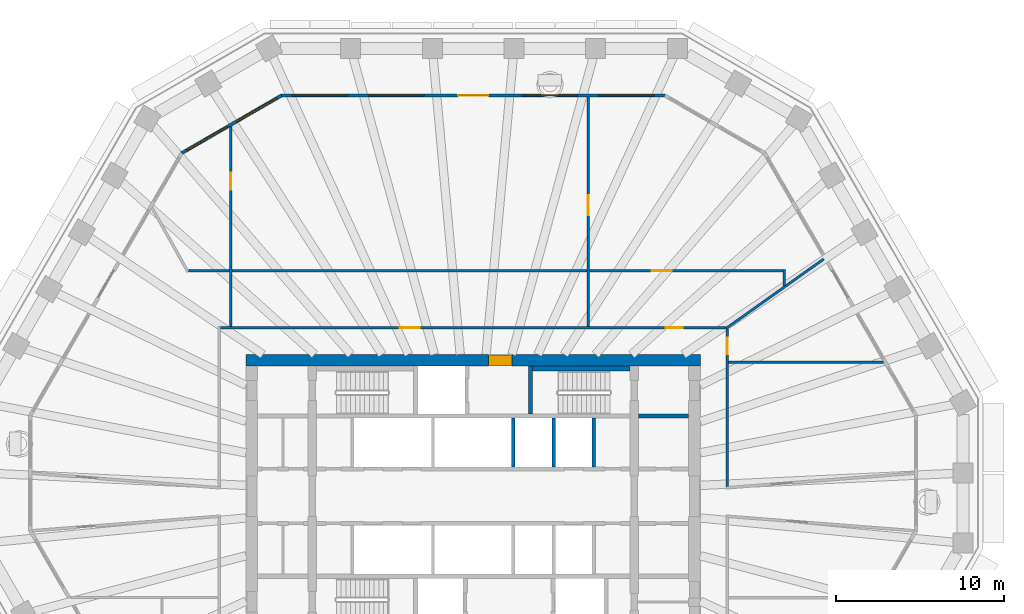
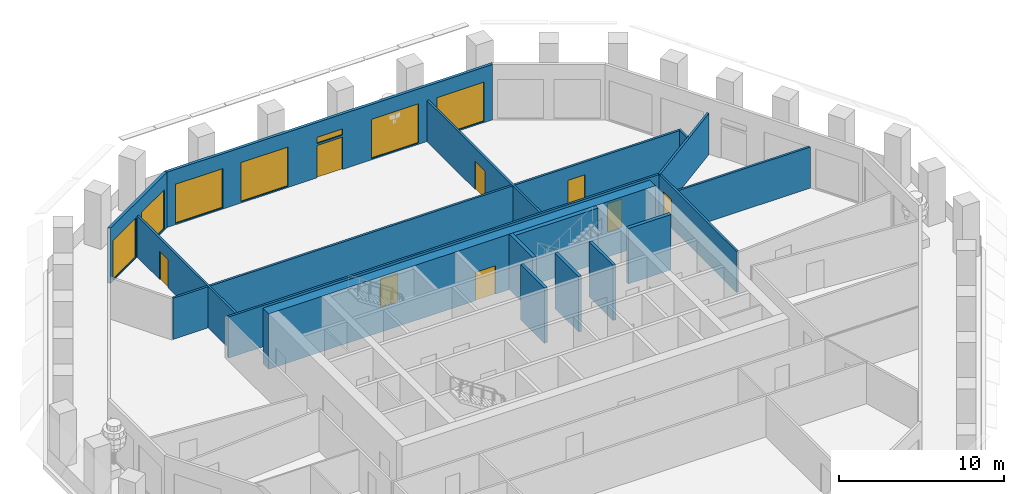
# One storey, part 7 of 12: 17 walls, 8 doors, 7 windows, 15 openings.
"""IFC4 building model written with IfcOpenShell, lengths in metres."""

from ifc_helpers import new_model, si_unit, direction, frame, frame_2d, origin, place, context, subcontext, project, spatial, polyline, rectangle, outline, extrude, material, layer, layer_set, type_object, element, fill, save


model = new_model("IFC4")

# Units and contexts
model_context = context("Model", 3, precision=1e-05, world=origin(), true_north=direction((0.0, 1.0)))
body_context = subcontext(model_context, "Body", "Model", "MODEL_VIEW")
ifc_project = project(units=[si_unit("LENGTHUNIT", "METRE"), si_unit("AREAUNIT", "SQUARE_METRE"), si_unit("VOLUMEUNIT", "CUBIC_METRE"), si_unit("PLANEANGLEUNIT", "RADIAN"), si_unit("MASSUNIT", "GRAM", prefix="KILO")], contexts=[model_context])

# Site, building, storey
site_placement = place(None, origin())
site = spatial("IfcSite", under=ifc_project, at=site_placement, CompositionType="ELEMENT")
building_placement = place(site_placement, origin())
building = spatial("IfcBuilding", under=site, at=building_placement, Name="Frailejon Research Tower", CompositionType="ELEMENT")
storey_placement = place(building_placement, frame((0.0, 0.0, 193.60009765625)))
storey = spatial("IfcBuildingStorey", under=building, at=storey_placement, Name="L42", CompositionType="ELEMENT", Elevation=193.60009765625)

# Wall, opening, door
ifc_material_1 = material(Name="Concrete C60/75", Category="concrete")
ifc_layer_1 = layer(ifc_material_1, 0.699951171875)
ifc_layer_set_1 = layer_set([ifc_layer_1], Name="Core shear wall 700 C60/75")
wall_type_1 = type_object("IfcWallType", Name="Core shear wall 700 C60/75", PredefinedType="SHEAR", material=ifc_layer_set_1)
wall_1_placement = place(storey_placement, frame((-13.550048828125, 8.10009765625, 0.0), z_axis=(0.0, 0.0, 1.0), x_axis=(1.0, 0.0, 0.0)))
wall_1 = element("IfcWall", 1, at=wall_1_placement, inside=storey, type_object=wall_type_1, Name="Core shear wall", PredefinedType="SHEAR", context=body_context, shape_type="SweptSolid", body=[
    extrude(rectangle(XDim=27.10009765625, YDim=0.699951171875, at=frame_2d((13.550048828125, 0.0))), origin(), (0.0, 0.0, 1.0), 4.099853515625),
])
opening_1_placement = place(wall_1_placement, frame((14.47509765625, 0.0, 0.0)))
opening_1 = element("IfcOpeningElement", 2, at=opening_1_placement, cuts=wall_1, Name="Opening D9", PredefinedType="OPENING", context=body_context, shape_type="SweptSolid", body=[
    extrude(rectangle(XDim=1.39990234375, YDim=2.10009765625, at=frame_2d((0.699951171875, 1.050048828125))), frame((0.0, 0.35986328125, 0.0), z_axis=(0.0, -1.0, 0.0), x_axis=(1.0, 0.0, 0.0)), (0.0, 0.0, 1.0), 0.719970703125),
])
ifc_material_2 = material(Name="Steel", Category="steel")
door_type_1 = type_object("IfcDoorType", Name="Goods lobby door", OperationType="DOUBLE_DOOR_SINGLE_SWING", PredefinedType="DOOR", material=ifc_material_2)
door_1_placement = place(opening_1_placement, origin())
door_1 = element("IfcDoor", 3, at=door_1_placement, inside=storey, type_object=door_type_1, Name="Goods lobby door", OperationType="DOUBLE_DOOR_SINGLE_SWING", OverallHeight=2.10009765625, OverallWidth=1.39990234375, PredefinedType="DOOR", context=body_context, shape_type="SweptSolid", body=[
    extrude(rectangle(XDim=1.39990234375, YDim=2.10009765625, at=frame_2d((0.699951171875, 1.050048828125))), frame((0.0, 0.300048828125, 0.0), z_axis=(0.0, -1.0, 0.0), x_axis=(1.0, 0.0, 0.0)), (0.0, 0.0, 1.0), 0.60009765625),
])
fill(opening_1, door_1)

ifc_material_3 = material(Name="Gypsum board and masonry partition", Category="masonry")
ifc_layer_2 = layer(ifc_material_3, 0.14990234375)
ifc_layer_set_2 = layer_set([ifc_layer_2], Name="Corridor wall EI 60, gypsum on steel studs 150")
wall_type_2 = type_object("IfcWallType", Name="Corridor wall EI 60, gypsum on steel studs 150", PredefinedType="PARTITIONING", material=ifc_layer_set_2)
wall_2_placement = place(storey_placement, frame((15.14990234375, 0.57568359375, 0.0), z_axis=(0.0, 0.0, 1.0), x_axis=(0.0, 1.0, 0.0)))
wall_2 = element("IfcWall", 4, at=wall_2_placement, inside=storey, type_object=wall_type_2, Name="T:IW:L42:002", PredefinedType="PARTITIONING", context=body_context, shape_type="SweptSolid", body=[
    extrude(rectangle(XDim=9.3994140625, YDim=0.14990234375, at=frame_2d((4.69970703125, 0.0))), origin(), (0.0, 0.0, 1.0), 3.0498046875),
])
opening_2_placement = place(wall_2_placement, frame((7.88671875, 0.0, 0.0)))
opening_2 = element("IfcOpeningElement", 5, at=opening_2_placement, cuts=wall_2, Name="Opening D1904", PredefinedType="OPENING", context=body_context, shape_type="SweptSolid", body=[
    extrude(rectangle(XDim=1.0, YDim=2.10009765625, at=frame_2d((0.5, 1.050048828125))), frame((0.0, 0.0849609375, 0.0), z_axis=(0.0, -1.0, 0.0), x_axis=(1.0, 0.0, 0.0)), (0.0, 0.0, 1.0), 0.169921875),
])
ifc_material_4 = material(Name="Timber door leaf", Category="wood")
door_type_2 = type_object("IfcDoorType", Name="Door laboratory, timber, vision panel 1000", OperationType="NOTDEFINED", PredefinedType="DOOR", material=ifc_material_4)
door_2_placement = place(opening_2_placement, origin())
door_2 = element("IfcDoor", 6, at=door_2_placement, inside=storey, type_object=door_type_2, Name="D1904", OperationType="SINGLE_SWING_RIGHT", OverallHeight=2.10009765625, OverallWidth=1.0, PredefinedType="DOOR", context=body_context, shape_type="SweptSolid", body=[
    extrude(rectangle(XDim=1.0, YDim=2.10009765625, at=frame_2d((0.5, 1.050048828125))), frame((0.0, 0.02490234375, 0.0), z_axis=(0.0, -1.0, 0.0), x_axis=(1.0, 0.0, 0.0)), (0.0, 0.0, 1.0), 0.050048828125),
])
fill(opening_2, door_2)

# Wall, openings, doors
wall_3_placement = place(storey_placement, frame((-15.074951171875, 10.050048828125, 0.0), z_axis=(0.0, 0.0, 1.0), x_axis=(1.0, 0.0, 0.0)))
wall_3 = element("IfcWall", 7, at=wall_3_placement, inside=storey, type_object=wall_type_2, Name="T:IW:L42:003", PredefinedType="PARTITIONING", context=body_context, shape_type="SweptSolid", body=[
    extrude(rectangle(XDim=30.14990234375, YDim=0.14990234375, at=frame_2d((15.074951171875, 0.0))), origin(), (0.0, 0.0, 1.0), 3.0498046875),
])
opening_3_placement = place(wall_3_placement, frame((26.572509765625, 0.0, 0.0)))
opening_3 = element("IfcOpeningElement", 8, at=opening_3_placement, cuts=wall_3, Name="Opening D1905", PredefinedType="OPENING", context=body_context, shape_type="SweptSolid", body=[
    extrude(rectangle(XDim=1.0, YDim=2.10009765625, at=frame_2d((0.5, 1.050048828125))), frame((0.0, 0.0849609375, 0.0), z_axis=(0.0, -1.0, 0.0), x_axis=(1.0, 0.0, 0.0)), (0.0, 0.0, 1.0), 0.169921875),
])
opening_4_placement = place(wall_3_placement, frame((10.684326171875, 0.0, 0.0)))
opening_4 = element("IfcOpeningElement", 9, at=opening_4_placement, cuts=wall_3, Name="Opening D1908", PredefinedType="OPENING", context=body_context, shape_type="SweptSolid", body=[
    extrude(rectangle(XDim=1.199951171875, YDim=2.10009765625, at=frame_2d((0.60009765625, 1.050048828125))), frame((0.0, 0.0849609375, 0.0), z_axis=(0.0, -1.0, 0.0), x_axis=(1.0, 0.0, 0.0)), (0.0, 0.0, 1.0), 0.169921875),
])
door_3_placement = place(opening_3_placement, origin())
door_3 = element("IfcDoor", 10, at=door_3_placement, inside=storey, type_object=door_type_2, Name="D1905", OperationType="SINGLE_SWING_LEFT", OverallHeight=2.10009765625, OverallWidth=1.0, PredefinedType="DOOR", context=body_context, shape_type="SweptSolid", body=[
    extrude(rectangle(XDim=1.0, YDim=2.10009765625, at=frame_2d((0.5, 1.050048828125))), frame((0.0, 0.02490234375, 0.0), z_axis=(0.0, -1.0, 0.0), x_axis=(1.0, 0.0, 0.0)), (0.0, 0.0, 1.0), 0.050048828125),
])
fill(opening_3, door_3)
ifc_material_5 = material(Name="Timber door leaf", Category="wood")
door_type_3 = type_object("IfcDoorType", Name="Door single leaf, timber, steel frame 1200", OperationType="NOTDEFINED", PredefinedType="DOOR", material=ifc_material_5)
door_4_placement = place(opening_4_placement, origin())
door_4 = element("IfcDoor", 11, at=door_4_placement, inside=storey, type_object=door_type_3, Name="D1908", OperationType="DOUBLE_DOOR_SINGLE_SWING", OverallHeight=2.10009765625, OverallWidth=1.199951171875, PredefinedType="DOOR", context=body_context, shape_type="SweptSolid", body=[
    extrude(rectangle(XDim=1.199951171875, YDim=2.10009765625, at=frame_2d((0.60009765625, 1.050048828125))), frame((0.0, 0.02490234375, 0.0), z_axis=(0.0, -1.0, 0.0), x_axis=(1.0, 0.0, 0.0)), (0.0, 0.0, 1.0), 0.050048828125),
])
fill(opening_4, door_4)

# Walls
ifc_material_6 = material(Name="Gypsum board and masonry partition", Category="masonry")
ifc_layer_3 = layer(ifc_material_6, 0.14990234375)
ifc_layer_set_3 = layer_set([ifc_layer_3], Name="Laboratory partition, blockwork 150")
wall_type_3 = type_object("IfcWallType", Name="Laboratory partition, blockwork 150", PredefinedType="PARTITIONING", material=ifc_layer_set_3)
wall_4_placement = place(storey_placement, frame((15.22509765625, 7.984619140625, 0.0), z_axis=(0.0, 0.0, 1.0), x_axis=(1.0, 0.0, 0.0)))
element("IfcWall", 12, at=wall_4_placement, inside=storey, type_object=wall_type_3, Name="T:IW:L42:011", PredefinedType="PARTITIONING", context=body_context, shape_type="SweptSolid", body=[
    extrude(rectangle(XDim=9.243408203125, YDim=0.14990234375, at=frame_2d((4.62158203125, 0.0))), origin(), (0.0, 0.0, 1.0), 3.0498046875),
])
wall_5_placement = place(storey_placement, frame((15.0888671875, 10.006591796875, 0.0), z_axis=(0.0, 0.0, 1.0), x_axis=(0.815227116073, 0.579141389661, 0.0)))
element("IfcWall", 13, at=wall_5_placement, inside=storey, type_object=wall_type_3, Name="T:IW:L42:012", PredefinedType="PARTITIONING", context=body_context, shape_type="SweptSolid", body=[
    extrude(rectangle(XDim=7.143798828125, YDim=0.14990234375, at=frame_2d((3.57177734375, 0.0))), origin(), (0.0, 0.0, 1.0), 3.0498046875),
])

# Wall, opening, door
wall_6_placement = place(storey_placement, frame((-16.97900390625, 13.449951171875, 0.0), z_axis=(0.0, 0.0, 1.0), x_axis=(1.0, 0.0, 0.0)))
wall_6 = element("IfcWall", 14, at=wall_6_placement, inside=storey, type_object=wall_type_3, Name="T:IW:L42:013", PredefinedType="PARTITIONING", context=body_context, shape_type="SweptSolid", body=[
    extrude(rectangle(XDim=35.4541015625, YDim=0.14990234375, at=frame_2d((17.72705078125, 0.0))), origin(), (0.0, 0.0, 1.0), 3.0498046875),
])
opening_5_placement = place(wall_6_placement, frame((27.623046875, 0.0, 0.0)))
opening_5 = element("IfcOpeningElement", 15, at=opening_5_placement, cuts=wall_6, Name="Opening D1906", PredefinedType="OPENING", context=body_context, shape_type="SweptSolid", body=[
    extrude(rectangle(XDim=1.199951171875, YDim=2.10009765625, at=frame_2d((0.60009765625, 1.050048828125))), frame((0.0, 0.0849609375, 0.0), z_axis=(0.0, -1.0, 0.0), x_axis=(1.0, 0.0, 0.0)), (0.0, 0.0, 1.0), 0.169921875),
])
ifc_material_7 = material(Name="Timber door leaf", Category="wood")
door_type_4 = type_object("IfcDoorType", Name="Door laboratory, timber, vision panel 1200", OperationType="NOTDEFINED", PredefinedType="DOOR", material=ifc_material_7)
door_5_placement = place(opening_5_placement, origin())
door_5 = element("IfcDoor", 16, at=door_5_placement, inside=storey, type_object=door_type_4, Name="D1906", OperationType="DOUBLE_DOOR_SINGLE_SWING", OverallHeight=2.10009765625, OverallWidth=1.199951171875, PredefinedType="DOOR", context=body_context, shape_type="SweptSolid", body=[
    extrude(rectangle(XDim=1.199951171875, YDim=2.10009765625, at=frame_2d((0.60009765625, 1.050048828125))), frame((0.0, 0.02490234375, 0.0), z_axis=(0.0, -1.0, 0.0), x_axis=(1.0, 0.0, 0.0)), (0.0, 0.0, 1.0), 0.050048828125),
])
fill(opening_5, door_5)

# Wall
wall_7_placement = place(storey_placement, frame((18.550048828125, 12.54052734375, 0.0), z_axis=(0.0, 0.0, 1.0), x_axis=(0.0, 1.0, 0.0)))
element("IfcWall", 17, at=wall_7_placement, inside=storey, type_object=wall_type_3, Name="T:IW:L42:014", PredefinedType="PARTITIONING", context=body_context, shape_type="SweptSolid", body=[
    extrude(rectangle(XDim=0.984375, YDim=0.14990234375, at=frame_2d((0.4921875, 0.0))), origin(), (0.0, 0.0, 1.0), 3.0498046875),
])

# Wall, opening, door
wall_8_placement = place(storey_placement, frame((6.871826171875, 10.125, 0.0), z_axis=(0.0, 0.0, 1.0), x_axis=(0.0, 1.0, 0.0)))
wall_8 = element("IfcWall", 18, at=wall_8_placement, inside=storey, type_object=wall_type_3, Name="T:IW:L42:015", PredefinedType="PARTITIONING", context=body_context, shape_type="SweptSolid", body=[
    extrude(rectangle(XDim=13.675048828125, YDim=0.14990234375, at=frame_2d((6.83740234375, 0.0))), origin(), (0.0, 0.0, 1.0), 3.0498046875),
])
opening_6_placement = place(wall_8_placement, frame((6.632568359375, 0.0, 0.0)))
opening_6 = element("IfcOpeningElement", 19, at=opening_6_placement, cuts=wall_8, Name="Opening D1907", PredefinedType="OPENING", context=body_context, shape_type="SweptSolid", body=[
    extrude(rectangle(XDim=1.199951171875, YDim=2.10009765625, at=frame_2d((0.60009765625, 1.050048828125))), frame((0.0, 0.0849609375, 0.0), z_axis=(0.0, -1.0, 0.0), x_axis=(1.0, 0.0, 0.0)), (0.0, 0.0, 1.0), 0.169921875),
])
door_6_placement = place(opening_6_placement, origin())
door_6 = element("IfcDoor", 20, at=door_6_placement, inside=storey, type_object=door_type_4, Name="D1907", OperationType="DOUBLE_DOOR_SINGLE_SWING", OverallHeight=2.10009765625, OverallWidth=1.199951171875, PredefinedType="DOOR", context=body_context, shape_type="SweptSolid", body=[
    extrude(rectangle(XDim=1.199951171875, YDim=2.10009765625, at=frame_2d((0.60009765625, 1.050048828125))), frame((0.0, 0.02490234375, 0.0), z_axis=(0.0, -1.0, 0.0), x_axis=(1.0, 0.0, 0.0)), (0.0, 0.0, 1.0), 0.050048828125),
])
fill(opening_6, door_6)

wall_9_placement = place(storey_placement, frame((-14.453125, 10.125, 0.0), z_axis=(0.0, 0.0, 1.0), x_axis=(0.0, 1.0, 0.0)))
wall_9 = element("IfcWall", 21, at=wall_9_placement, inside=storey, type_object=wall_type_3, Name="T:IW:L42:016", PredefinedType="PARTITIONING", context=body_context, shape_type="SweptSolid", body=[
    extrude(rectangle(XDim=11.912109375, YDim=0.14990234375, at=frame_2d((5.9560546875, 0.0))), origin(), (0.0, 0.0, 1.0), 3.0498046875),
])
opening_7_placement = place(wall_9_placement, frame((8.151611328125, 0.0, 0.0)))
opening_7 = element("IfcOpeningElement", 22, at=opening_7_placement, cuts=wall_9, Name="Opening D1909", PredefinedType="OPENING", context=body_context, shape_type="SweptSolid", body=[
    extrude(rectangle(XDim=1.0, YDim=2.10009765625, at=frame_2d((0.5, 1.050048828125))), frame((0.0, 0.0849609375, 0.0), z_axis=(0.0, -1.0, 0.0), x_axis=(1.0, 0.0, 0.0)), (0.0, 0.0, 1.0), 0.169921875),
])
door_7_placement = place(opening_7_placement, origin())
door_7 = element("IfcDoor", 23, at=door_7_placement, inside=storey, type_object=door_type_2, Name="D1909", OperationType="SINGLE_SWING_LEFT", OverallHeight=2.10009765625, OverallWidth=1.0, PredefinedType="DOOR", context=body_context, shape_type="SweptSolid", body=[
    extrude(rectangle(XDim=1.0, YDim=2.10009765625, at=frame_2d((0.5, 1.050048828125))), frame((0.0, 0.02490234375, 0.0), z_axis=(0.0, -1.0, 0.0), x_axis=(1.0, 0.0, 0.0)), (0.0, 0.0, 1.0), 0.050048828125),
])
fill(opening_7, door_7)

# Walls
ifc_material_8 = material(Name="Concrete C60/75", Category="concrete")
ifc_layer_4 = layer(ifc_material_8, 0.199951171875)
ifc_layer_set_4 = layer_set([ifc_layer_4], Name="Shaft wall 200 C60/75")
wall_type_4 = type_object("IfcWallType", Name="Shaft wall 200 C60/75", PredefinedType="SOLIDWALL", material=ifc_layer_set_4)
for number, where, z_axis, x_axis, name in (
    (24, (2.39990234375, 1.75, 0.0), (0.0, 0.0, 1.0), (0.0, 1.0, 0.0), "Shaft wall"),
    (25, (4.800048828125, 1.75, 0.0), (0.0, 0.0, 1.0), (0.0, 1.0, 0.0), "Shaft wall"),
    (26, (7.199951171875, 1.75, 0.0), (0.0, 0.0, 1.0), (0.0, 1.0, 0.0), "Shaft wall"),
):
    element("IfcWall", number, at=place(storey_placement, frame(where, z_axis=z_axis, x_axis=x_axis)), inside=storey, type_object=wall_type_4, Name=name, PredefinedType="SOLIDWALL", context=body_context, shape_type="SweptSolid", body=[
        extrude(rectangle(XDim=2.89990234375, YDim=0.199951171875, at=frame_2d((1.449951171875, 0.0))), origin(), (0.0, 0.0, 1.0), 4.099853515625),
    ])
ifc_material_9 = material(Name="Concrete C60/75", Category="concrete")
ifc_layer_5 = layer(ifc_material_9, 0.25)
ifc_layer_set_5 = layer_set([ifc_layer_5], Name="Shaft wall 250 C60/75")
wall_type_5 = type_object("IfcWallType", Name="Shaft wall 250 C60/75", PredefinedType="SOLIDWALL", material=ifc_layer_set_5)
wall_10_placement = place(storey_placement, frame((9.85009765625, 4.77490234375, 0.0), z_axis=(0.0, 0.0, 1.0), x_axis=(1.0, 0.0, 0.0)))
element("IfcWall", 27, at=wall_10_placement, inside=storey, type_object=wall_type_5, Name="Shaft wall", PredefinedType="SOLIDWALL", context=body_context, shape_type="SweptSolid", body=[
    extrude(rectangle(XDim=3.0, YDim=0.25, at=frame_2d((1.5, 0.0))), origin(), (0.0, 0.0, 1.0), 4.099853515625),
])
wall_11_placement = place(storey_placement, frame((3.425048828125, 4.89990234375, 0.0), z_axis=(0.0, 0.0, 1.0), x_axis=(0.0, 1.0, 0.0)))
element("IfcWall", 28, at=wall_11_placement, inside=storey, type_object=wall_type_5, Name="Shaft wall", PredefinedType="SOLIDWALL", context=body_context, shape_type="SweptSolid", body=[
    extrude(rectangle(XDim=2.85009765625, YDim=0.25, at=frame_2d((1.425048828125, 0.0))), origin(), (0.0, 0.0, 1.0), 4.099853515625),
])
ifc_material_10 = material(Name="Concrete C60/75", Category="concrete")
ifc_layer_6 = layer(ifc_material_10, 0.300048828125)
ifc_layer_set_6 = layer_set([ifc_layer_6], Name="Shaft wall 300 C60/75")
wall_type_6 = type_object("IfcWallType", Name="Shaft wall 300 C60/75", PredefinedType="SOLIDWALL", material=ifc_layer_set_6)
wall_12_placement = place(storey_placement, frame((3.550048828125, 7.60009765625, 0.0), z_axis=(0.0, 0.0, 1.0), x_axis=(1.0, 0.0, 0.0)))
element("IfcWall", 29, at=wall_12_placement, inside=storey, type_object=wall_type_6, Name="Shaft wall", PredefinedType="SOLIDWALL", context=body_context, shape_type="SweptSolid", body=[
    extrude(rectangle(XDim=5.800048828125, YDim=0.300048828125, at=frame_2d((2.89990234375, 0.0))), origin(), (0.0, 0.0, 1.0), 4.099853515625),
])

# Wall, openings, door, windows
ifc_material_11 = material(Name="Concrete C40/50 precast window wall panel", Category="concrete")
ifc_layer_7 = layer(ifc_material_11, 0.199951171875)
ifc_layer_set_7 = layer_set([ifc_layer_7], Name="Window wall 200")
wall_type_7 = type_object("IfcWallType", Name="Window wall 200", PredefinedType="SOLIDWALL", material=ifc_layer_set_7)
wall_13_placement = place(storey_placement, frame((11.42626953125, 23.89990234375, 0.0), z_axis=(0.0, 0.0, 1.0), x_axis=(-1.0, 0.0, 0.0)))
wall_13 = element("IfcWall", 30, at=wall_13_placement, inside=storey, type_object=wall_type_7, Name="Exterior wall L42", PredefinedType="SOLIDWALL", context=body_context, shape_type="SweptSolid", body=[
    extrude(outline(polyline([(-0.02685546875, -0.10009765625), (1.014404296875, -0.10009765625), (2.055419921875, -0.10009765625), (3.0966796875, -0.10009765625), (4.137939453125, -0.10009765625), (5.17919921875, -0.10009765625), (6.22021484375, -0.10009765625), (7.261474609375, -0.10009765625), (8.302734375, -0.10009765625), (9.343994140625, -0.10009765625), (10.385009765625, -0.10009765625), (11.42626953125, -0.10009765625), (12.467529296875, -0.10009765625), (13.508544921875, -0.10009765625), (14.5498046875, -0.10009765625), (15.591064453125, -0.10009765625), (16.63232421875, -0.10009765625), (17.67333984375, -0.10009765625), (18.714599609375, -0.10009765625), (19.755859375, -0.10009765625), (20.797119140625, -0.10009765625), (21.838134765625, -0.10009765625), (22.87939453125, -0.10009765625), (22.82568359375, 0.10009765625), (21.789306640625, 0.10009765625), (20.753173828125, 0.10009765625), (19.716796875, 0.10009765625), (18.680419921875, 0.10009765625), (17.64404296875, 0.10009765625), (16.60791015625, 0.10009765625), (15.571533203125, 0.10009765625), (14.53515625, 0.10009765625), (13.498779296875, 0.10009765625), (12.462646484375, 0.10009765625), (11.42626953125, 0.10009765625), (10.389892578125, 0.10009765625), (9.353759765625, 0.10009765625), (8.3173828125, 0.10009765625), (7.281005859375, 0.10009765625), (6.24462890625, 0.10009765625), (5.20849609375, 0.10009765625), (4.172119140625, 0.10009765625), (3.1357421875, 0.10009765625), (2.099365234375, 0.10009765625), (1.063232421875, 0.10009765625), (0.02685546875, 0.10009765625), (-0.02685546875, -0.10009765625)])), origin(), (0.0, 0.0, 1.0), 4.099853515625),
])
opening_8_placement = place(wall_13_placement, frame((0.63525390625, 0.0, 0.10009765625)))
opening_8 = element("IfcOpeningElement", 31, at=opening_8_placement, cuts=wall_13, Name="Opening W5", PredefinedType="OPENING", context=body_context, shape_type="SweptSolid", body=[
    extrude(rectangle(XDim=3.300048828125, YDim=2.89990234375, at=frame_2d((1.64990234375, 1.449951171875))), frame((0.0, 0.10986328125, 0.0), z_axis=(0.0, -1.0, 0.0), x_axis=(1.0, 0.0, 0.0)), (0.0, 0.0, 1.0), 0.219970703125),
])
opening_9_placement = place(wall_13_placement, frame((5.205810546875, 0.0, 0.10009765625)))
opening_9 = element("IfcOpeningElement", 32, at=opening_9_placement, cuts=wall_13, Name="Opening W5", PredefinedType="OPENING", context=body_context, shape_type="SweptSolid", body=[
    extrude(rectangle(XDim=3.300048828125, YDim=2.89990234375, at=frame_2d((1.64990234375, 1.449951171875))), frame((0.0, 0.10986328125, 0.0), z_axis=(0.0, -1.0, 0.0), x_axis=(1.0, 0.0, 0.0)), (0.0, 0.0, 1.0), 0.219970703125),
])
opening_10_placement = place(wall_13_placement, frame((10.5263671875, 0.0, 0.0)))
opening_10 = element("IfcOpeningElement", 33, at=opening_10_placement, cuts=wall_13, Name="Opening LG42-2", PredefinedType="OPENING", context=body_context, shape_type="SweptSolid", body=[
    extrude(rectangle(XDim=1.800048828125, YDim=2.39990234375, at=frame_2d((0.89990234375, 1.199951171875))), frame((0.0, 0.10986328125, 0.0), z_axis=(0.0, -1.0, 0.0), x_axis=(1.0, 0.0, 0.0)), (0.0, 0.0, 1.0), 0.219970703125),
])
opening_11_placement = place(wall_13_placement, frame((10.5263671875, 0.0, 2.550048828125)))
opening_11 = element("IfcOpeningElement", 34, at=opening_11_placement, cuts=wall_13, Name="Opening W1", PredefinedType="OPENING", context=body_context, shape_type="SweptSolid", body=[
    extrude(rectangle(XDim=1.800048828125, YDim=0.449951171875, at=frame_2d((0.89990234375, 0.22509765625))), frame((0.0, 0.10986328125, 0.0), z_axis=(0.0, -1.0, 0.0), x_axis=(1.0, 0.0, 0.0)), (0.0, 0.0, 1.0), 0.219970703125),
])
opening_12_placement = place(wall_13_placement, frame((14.3466796875, 0.0, 0.10009765625)))
opening_12 = element("IfcOpeningElement", 35, at=opening_12_placement, cuts=wall_13, Name="Opening W5", PredefinedType="OPENING", context=body_context, shape_type="SweptSolid", body=[
    extrude(rectangle(XDim=3.300048828125, YDim=2.89990234375, at=frame_2d((1.64990234375, 1.449951171875))), frame((0.0, 0.10986328125, 0.0), z_axis=(0.0, -1.0, 0.0), x_axis=(1.0, 0.0, 0.0)), (0.0, 0.0, 1.0), 0.219970703125),
])
opening_13_placement = place(wall_13_placement, frame((18.917236328125, 0.0, 0.10009765625)))
opening_13 = element("IfcOpeningElement", 36, at=opening_13_placement, cuts=wall_13, Name="Opening W5", PredefinedType="OPENING", context=body_context, shape_type="SweptSolid", body=[
    extrude(rectangle(XDim=3.300048828125, YDim=2.89990234375, at=frame_2d((1.64990234375, 1.449951171875))), frame((0.0, 0.10986328125, 0.0), z_axis=(0.0, -1.0, 0.0), x_axis=(1.0, 0.0, 0.0)), (0.0, 0.0, 1.0), 0.219970703125),
])
ifc_material_12 = material(Name="Aluminium framed glazed door leaf", Category="aluminium")
door_type_5 = type_object("IfcDoorType", Name="Loggia door 1800x2400", OperationType="DOUBLE_DOOR_SINGLE_SWING", PredefinedType="DOOR", material=ifc_material_12)
door_8_placement = place(opening_10_placement, origin())
door_8 = element("IfcDoor", 37, at=door_8_placement, inside=storey, type_object=door_type_5, Name="Door LG42-2", OperationType="DOUBLE_DOOR_SINGLE_SWING", OverallHeight=2.39990234375, OverallWidth=1.800048828125, PredefinedType="DOOR", context=body_context, shape_type="SweptSolid", body=[
    extrude(rectangle(XDim=1.800048828125, YDim=2.39990234375, at=frame_2d((0.89990234375, 1.199951171875))), frame((0.0, 0.02490234375, 0.0), z_axis=(0.0, -1.0, 0.0), x_axis=(1.0, 0.0, 0.0)), (0.0, 0.0, 1.0), 0.050048828125),
])
fill(opening_10, door_8)
ifc_material_13 = material(Name="Aluminium framed double glazing", Category="aluminium")
window_type_1 = type_object("IfcWindowType", Name="Window 1800x450", PartitioningType="SINGLE_PANEL", PredefinedType="WINDOW", material=ifc_material_13)
window_1_placement = place(opening_11_placement, origin())
window_1 = element("IfcWindow", 38, at=window_1_placement, inside=storey, type_object=window_type_1, Name="Window L42", OverallHeight=0.449951171875, OverallWidth=1.800048828125, PartitioningType="SINGLE_PANEL", PredefinedType="WINDOW", context=body_context, shape_type="SweptSolid", body=[
    extrude(rectangle(XDim=1.800048828125, YDim=0.449951171875, at=frame_2d((0.89990234375, 0.22509765625))), frame((0.0, 0.030029296875, 0.0), z_axis=(0.0, -1.0, 0.0), x_axis=(1.0, 0.0, 0.0)), (0.0, 0.0, 1.0), 0.06005859375),
])
fill(opening_11, window_1)
ifc_material_14 = material(Name="Aluminium framed double glazing", Category="aluminium")
window_type_2 = type_object("IfcWindowType", Name="Window 3300x2900", PartitioningType="SINGLE_PANEL", PredefinedType="WINDOW", material=ifc_material_14)
window_2_placement = place(opening_8_placement, origin())
window_2 = element("IfcWindow", 39, at=window_2_placement, inside=storey, type_object=window_type_2, Name="Window L42", OverallHeight=2.89990234375, OverallWidth=3.300048828125, PartitioningType="SINGLE_PANEL", PredefinedType="WINDOW", context=body_context, shape_type="SweptSolid", body=[
    extrude(rectangle(XDim=3.300048828125, YDim=2.89990234375, at=frame_2d((1.64990234375, 1.449951171875))), frame((0.0, 0.030029296875, 0.0), z_axis=(0.0, -1.0, 0.0), x_axis=(1.0, 0.0, 0.0)), (0.0, 0.0, 1.0), 0.06005859375),
])
fill(opening_8, window_2)
window_3_placement = place(opening_9_placement, origin())
window_3 = element("IfcWindow", 40, at=window_3_placement, inside=storey, type_object=window_type_2, Name="Window L42", OverallHeight=2.89990234375, OverallWidth=3.300048828125, PartitioningType="SINGLE_PANEL", PredefinedType="WINDOW", context=body_context, shape_type="SweptSolid", body=[
    extrude(rectangle(XDim=3.300048828125, YDim=2.89990234375, at=frame_2d((1.64990234375, 1.449951171875))), frame((0.0, 0.030029296875, 0.0), z_axis=(0.0, -1.0, 0.0), x_axis=(1.0, 0.0, 0.0)), (0.0, 0.0, 1.0), 0.06005859375),
])
fill(opening_9, window_3)
window_4_placement = place(opening_12_placement, origin())
window_4 = element("IfcWindow", 41, at=window_4_placement, inside=storey, type_object=window_type_2, Name="Window L42", OverallHeight=2.89990234375, OverallWidth=3.300048828125, PartitioningType="SINGLE_PANEL", PredefinedType="WINDOW", context=body_context, shape_type="SweptSolid", body=[
    extrude(rectangle(XDim=3.300048828125, YDim=2.89990234375, at=frame_2d((1.64990234375, 1.449951171875))), frame((0.0, 0.030029296875, 0.0), z_axis=(0.0, -1.0, 0.0), x_axis=(1.0, 0.0, 0.0)), (0.0, 0.0, 1.0), 0.06005859375),
])
fill(opening_12, window_4)
window_5_placement = place(opening_13_placement, origin())
window_5 = element("IfcWindow", 42, at=window_5_placement, inside=storey, type_object=window_type_2, Name="Window L42", OverallHeight=2.89990234375, OverallWidth=3.300048828125, PartitioningType="SINGLE_PANEL", PredefinedType="WINDOW", context=body_context, shape_type="SweptSolid", body=[
    extrude(rectangle(XDim=3.300048828125, YDim=2.89990234375, at=frame_2d((1.64990234375, 1.449951171875))), frame((0.0, 0.030029296875, 0.0), z_axis=(0.0, -1.0, 0.0), x_axis=(1.0, 0.0, 0.0)), (0.0, 0.0, 1.0), 0.06005859375),
])
fill(opening_13, window_5)

# Wall, openings, windows
wall_14_placement = place(storey_placement, frame((-11.42626953125, 23.89990234375, 0.0), z_axis=(0.0, 0.0, 1.0), x_axis=(-0.866029458321, -0.49999297727, 0.0)))
wall_14 = element("IfcWall", 43, at=wall_14_placement, inside=storey, type_object=wall_type_7, Name="Exterior wall L42", PredefinedType="SOLIDWALL", context=body_context, shape_type="SweptSolid", body=[
    extrude(outline(polyline([(-0.02685546875, -0.10009765625), (1.1279296875, -0.10009765625), (2.282470703125, -0.10009765625), (3.437255859375, -0.10009765625), (4.592041015625, -0.10009765625), (5.74658203125, -0.10009765625), (6.9013671875, -0.10009765625), (6.84765625, 0.10009765625), (5.7109375, 0.10009765625), (4.573974609375, 0.10009765625), (3.437255859375, 0.10009765625), (2.300537109375, 0.10009765625), (1.16357421875, 0.10009765625), (0.02685546875, 0.10009765625), (-0.02685546875, -0.10009765625)])), origin(), (0.0, 0.0, 1.0), 4.099853515625),
])
opening_14_placement = place(wall_14_placement, frame((0.318603515625, 0.0, 0.10009765625)))
opening_14 = element("IfcOpeningElement", 44, at=opening_14_placement, cuts=wall_14, Name="Opening W3", PredefinedType="OPENING", context=body_context, shape_type="SweptSolid", body=[
    extrude(rectangle(XDim=2.800048828125, YDim=2.89990234375, at=frame_2d((1.39990234375, 1.449951171875))), frame((0.0, 0.10986328125, 0.0), z_axis=(0.0, -1.0, 0.0), x_axis=(1.0, 0.0, 0.0)), (0.0, 0.0, 1.0), 0.219970703125),
])
opening_15_placement = place(wall_14_placement, frame((3.756103515625, 0.0, 0.10009765625)))
opening_15 = element("IfcOpeningElement", 45, at=opening_15_placement, cuts=wall_14, Name="Opening W3", PredefinedType="OPENING", context=body_context, shape_type="SweptSolid", body=[
    extrude(rectangle(XDim=2.800048828125, YDim=2.89990234375, at=frame_2d((1.39990234375, 1.449951171875))), frame((0.0, 0.10986328125, 0.0), z_axis=(0.0, -1.0, 0.0), x_axis=(1.0, 0.0, 0.0)), (0.0, 0.0, 1.0), 0.219970703125),
])
ifc_material_15 = material(Name="Aluminium framed double glazing", Category="aluminium")
window_type_3 = type_object("IfcWindowType", Name="Window 2800x2900", PartitioningType="SINGLE_PANEL", PredefinedType="WINDOW", material=ifc_material_15)
window_6_placement = place(opening_14_placement, origin())
window_6 = element("IfcWindow", 46, at=window_6_placement, inside=storey, type_object=window_type_3, Name="Window L42", OverallHeight=2.89990234375, OverallWidth=2.800048828125, PartitioningType="SINGLE_PANEL", PredefinedType="WINDOW", context=body_context, shape_type="SweptSolid", body=[
    extrude(rectangle(XDim=2.800048828125, YDim=2.89990234375, at=frame_2d((1.39990234375, 1.449951171875))), frame((0.0, 0.030029296875, 0.0), z_axis=(0.0, -1.0, 0.0), x_axis=(1.0, 0.0, 0.0)), (0.0, 0.0, 1.0), 0.06005859375),
])
fill(opening_14, window_6)
window_7_placement = place(opening_15_placement, origin())
window_7 = element("IfcWindow", 47, at=window_7_placement, inside=storey, type_object=window_type_3, Name="Window L42", OverallHeight=2.89990234375, OverallWidth=2.800048828125, PartitioningType="SINGLE_PANEL", PredefinedType="WINDOW", context=body_context, shape_type="SweptSolid", body=[
    extrude(rectangle(XDim=2.800048828125, YDim=2.89990234375, at=frame_2d((1.39990234375, 1.449951171875))), frame((0.0, 0.030029296875, 0.0), z_axis=(0.0, -1.0, 0.0), x_axis=(1.0, 0.0, 0.0)), (0.0, 0.0, 1.0), 0.06005859375),
])
fill(opening_15, window_7)

save(model, "model.ifc")
